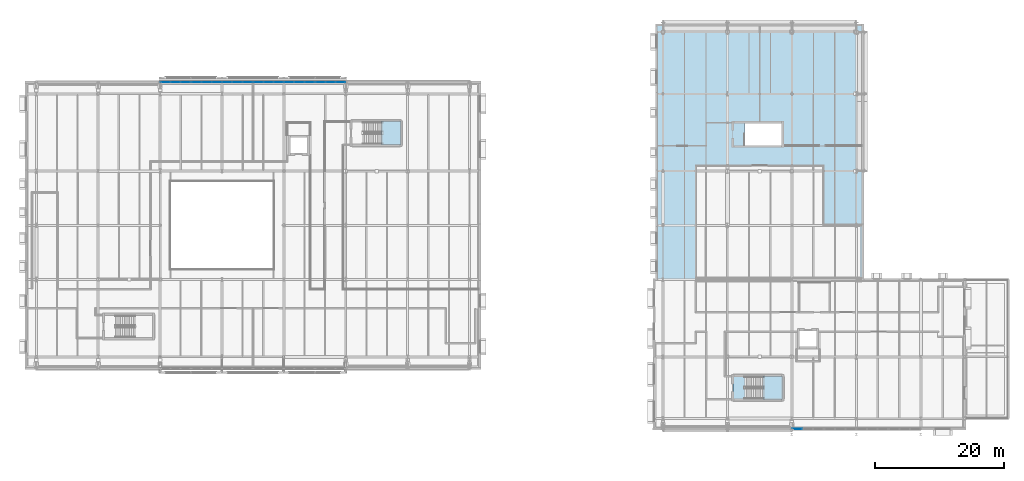
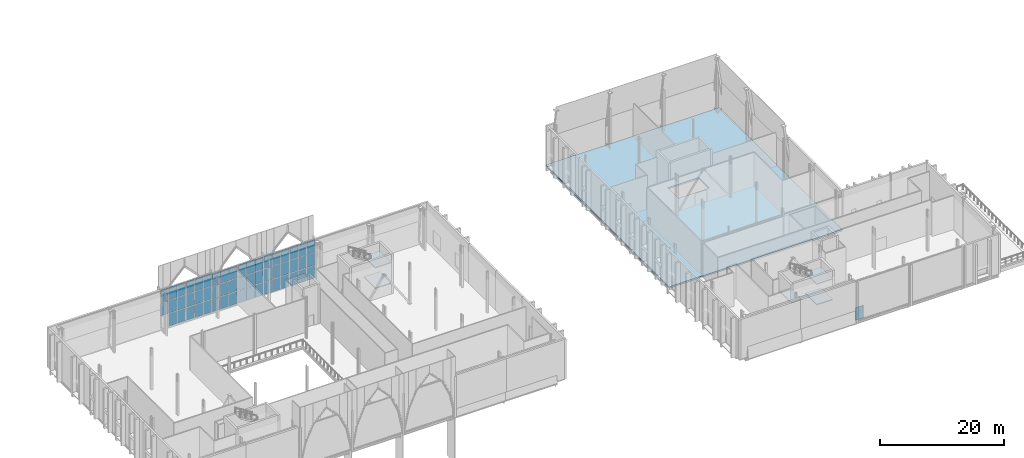
# One storey, part 40 of 79: 54 plates, 6 slabs, 9 elements without a shape of their own.
"""IFC4 building model written with IfcOpenShell, lengths in metres."""

from ifc_helpers import new_model, si_unit, direction, frame, origin, origin_2d, place, context, subcontext, project, spatial, polyline, rectangle, outline, extrude, material, layer, layer_set, type_object, element, aggregate, save


model = new_model("IFC4")

# Units and contexts
model_context = context("Model", 3, precision=1e-05, world=origin(), true_north=direction((0.0, 1.0)))
body_context = subcontext(model_context, "Body", "Model", "MODEL_VIEW")
ifc_project = project(units=[si_unit("LENGTHUNIT", "METRE"), si_unit("AREAUNIT", "SQUARE_METRE"), si_unit("VOLUMEUNIT", "CUBIC_METRE"), si_unit("PLANEANGLEUNIT", "RADIAN"), si_unit("MASSUNIT", "GRAM", prefix="KILO")], contexts=[model_context])

# Site, building, storey
site_placement = place(None, origin())
site = spatial("IfcSite", under=ifc_project, at=site_placement, CompositionType="ELEMENT")
building_placement = place(site_placement, origin())
building = spatial("IfcBuilding", under=site, at=building_placement, Name="Zereglee Splitstone Museum", CompositionType="ELEMENT")
storey_placement = place(building_placement, frame((0.0, 0.0, 9.0)))
storey = spatial("IfcBuildingStorey", under=building, at=storey_placement, Name="L02", CompositionType="ELEMENT", Elevation=9.0)

# Curtain wall, plate
ifc_material_1 = material(Name="Triple-glazed low-E argon glass and bronze-anodised aluminium", Category="aluminium")
ifc_layer_1 = layer(ifc_material_1, 0.219970703125)
ifc_layer_set_1 = layer_set([ifc_layer_1], Name="Triple-glazed low-E argon glass and bronze-anodised aluminium")
curtain_wall_type_1 = type_object("IfcCurtainWallType", Name="CW-0496-780", PredefinedType="USERDEFINED", material=ifc_layer_set_1)
curtain_wall_1_placement = place(storey_placement, origin())
curtain_wall_1 = element("IfcCurtainWall", 1, at=curtain_wall_1_placement, inside=storey, type_object=curtain_wall_type_1, Name="Glazed Curtain Wall CW-0496-780 (L02)", ObjectType="GLAZED CURTAIN WALL", PredefinedType="USERDEFINED")
ifc_material_2 = material(Name="Triple low-e argon insulated safety glass", Category="glass")
ifc_layer_2 = layer(ifc_material_2, 0.035888671875)
ifc_layer_set_2 = layer_set([ifc_layer_2], Name="Triple low-e argon insulated safety glass")
plate_type = type_object("IfcPlateType", Name="CWP-01", PredefinedType="CURTAIN_PANEL", material=ifc_layer_set_2)
plate_1_placement = place(storey_placement, frame((196.04541015625, -1.60009765625, 0.0751953125), z_axis=(0.0, 0.0, 1.0), x_axis=(1.0, 0.0, 0.0)))
plate_1 = element("IfcPlate", 2, at=plate_1_placement, type_object=plate_type, Name="CW-0496-780 panel 1.1", PredefinedType="CURTAIN_PANEL", context=body_context, shape_type="SweptSolid", body=[
    extrude(rectangle(XDim=1.540771484375, YDim=0.035888671875, at=origin_2d()), origin(), (0.0, 0.0, 1.0), 2.487548828125),
])
aggregate(curtain_wall_1, [plate_1])

# Curtain wall, plates
ifc_layer_3 = layer(ifc_material_1, 0.219970703125)
ifc_layer_set_3 = layer_set([ifc_layer_3], Name="Triple-glazed low-E argon glass and bronze-anodised aluminium")
curtain_wall_type_2 = type_object("IfcCurtainWallType", Name="CW-0476-774", PredefinedType="USERDEFINED", material=ifc_layer_set_3)
curtain_wall_2_placement = place(storey_placement, origin())
curtain_wall_2 = element("IfcCurtainWall", 3, at=curtain_wall_2_placement, inside=storey, type_object=curtain_wall_type_2, Name="Glazed Curtain Wall CW-0476-774 (L02)", ObjectType="GLAZED CURTAIN WALL", PredefinedType="USERDEFINED")
plate_2_placement = place(storey_placement, frame((125.18798828125, 52.199951171875, 0.0751953125), z_axis=(0.0, 0.0, 1.0), x_axis=(-1.0, 0.0, 0.0)))
plate_2 = element("IfcPlate", 4, at=plate_2_placement, type_object=plate_type, Name="CW-0476-774 panel 1.1", PredefinedType="CURTAIN_PANEL", context=body_context, shape_type="SweptSolid", body=[
    extrude(rectangle(XDim=1.47412109375, YDim=0.035888671875, at=origin_2d()), origin(), (0.0, 0.0, 1.0), 2.467529296875),
])
plate_3_placement = place(storey_placement, frame((125.18798828125, 52.199951171875, 2.61767578125), z_axis=(0.0, 0.0, 1.0), x_axis=(-1.0, 0.0, 0.0)))
plate_3 = element("IfcPlate", 5, at=plate_3_placement, type_object=plate_type, Name="CW-0476-774 panel 1.2", PredefinedType="CURTAIN_PANEL", context=body_context, shape_type="SweptSolid", body=[
    extrude(rectangle(XDim=1.47412109375, YDim=0.035888671875, at=origin_2d()), origin(), (0.0, 0.0, 1.0), 2.5048828125),
])
plate_4_placement = place(storey_placement, frame((125.18798828125, 52.199951171875, 5.197265625), z_axis=(0.0, 0.0, 1.0), x_axis=(-1.0, 0.0, 0.0)))
plate_4 = element("IfcPlate", 6, at=plate_4_placement, type_object=plate_type, Name="CW-0476-774 panel 1.3", PredefinedType="CURTAIN_PANEL", context=body_context, shape_type="SweptSolid", body=[
    extrude(rectangle(XDim=1.47412109375, YDim=0.035888671875, at=origin_2d()), origin(), (0.0, 0.0, 1.0), 2.467529296875),
])
plate_5_placement = place(storey_placement, frame((123.6201171875, 52.199951171875, 0.0751953125), z_axis=(0.0, 0.0, 1.0), x_axis=(-1.0, 0.0, 0.0)))
plate_5 = element("IfcPlate", 7, at=plate_5_placement, type_object=plate_type, Name="CW-0476-774 panel 2.1", PredefinedType="CURTAIN_PANEL", context=body_context, shape_type="SweptSolid", body=[
    extrude(rectangle(XDim=1.51171875, YDim=0.035888671875, at=origin_2d()), origin(), (0.0, 0.0, 1.0), 2.467529296875),
])
plate_6_placement = place(storey_placement, frame((123.6201171875, 52.199951171875, 2.61767578125), z_axis=(0.0, 0.0, 1.0), x_axis=(-1.0, 0.0, 0.0)))
plate_6 = element("IfcPlate", 8, at=plate_6_placement, type_object=plate_type, Name="CW-0476-774 panel 2.2", PredefinedType="CURTAIN_PANEL", context=body_context, shape_type="SweptSolid", body=[
    extrude(rectangle(XDim=1.51171875, YDim=0.035888671875, at=origin_2d()), origin(), (0.0, 0.0, 1.0), 2.5048828125),
])
plate_7_placement = place(storey_placement, frame((123.6201171875, 52.199951171875, 5.197265625), z_axis=(0.0, 0.0, 1.0), x_axis=(-1.0, 0.0, 0.0)))
plate_7 = element("IfcPlate", 9, at=plate_7_placement, type_object=plate_type, Name="CW-0476-774 panel 2.3", PredefinedType="CURTAIN_PANEL", context=body_context, shape_type="SweptSolid", body=[
    extrude(rectangle(XDim=1.51171875, YDim=0.035888671875, at=origin_2d()), origin(), (0.0, 0.0, 1.0), 2.467529296875),
])
plate_8_placement = place(storey_placement, frame((122.052001953125, 52.199951171875, 0.0751953125), z_axis=(0.0, 0.0, 1.0), x_axis=(-1.0, 0.0, 0.0)))
plate_8 = element("IfcPlate", 10, at=plate_8_placement, type_object=plate_type, Name="CW-0476-774 panel 3.1", PredefinedType="CURTAIN_PANEL", context=body_context, shape_type="SweptSolid", body=[
    extrude(rectangle(XDim=1.47412109375, YDim=0.035888671875, at=origin_2d()), origin(), (0.0, 0.0, 1.0), 2.467529296875),
])
plate_9_placement = place(storey_placement, frame((122.052001953125, 52.199951171875, 2.61767578125), z_axis=(0.0, 0.0, 1.0), x_axis=(-1.0, 0.0, 0.0)))
plate_9 = element("IfcPlate", 11, at=plate_9_placement, type_object=plate_type, Name="CW-0476-774 panel 3.2", PredefinedType="CURTAIN_PANEL", context=body_context, shape_type="SweptSolid", body=[
    extrude(rectangle(XDim=1.47412109375, YDim=0.035888671875, at=origin_2d()), origin(), (0.0, 0.0, 1.0), 2.5048828125),
])
plate_10_placement = place(storey_placement, frame((122.052001953125, 52.199951171875, 5.197265625), z_axis=(0.0, 0.0, 1.0), x_axis=(-1.0, 0.0, 0.0)))
plate_10 = element("IfcPlate", 12, at=plate_10_placement, type_object=plate_type, Name="CW-0476-774 panel 3.3", PredefinedType="CURTAIN_PANEL", context=body_context, shape_type="SweptSolid", body=[
    extrude(rectangle(XDim=1.47412109375, YDim=0.035888671875, at=origin_2d()), origin(), (0.0, 0.0, 1.0), 2.467529296875),
])
aggregate(curtain_wall_2, [plate_2, plate_3, plate_4, plate_5, plate_6, plate_7, plate_8, plate_9, plate_10])

ifc_layer_4 = layer(ifc_material_1, 0.219970703125)
ifc_layer_set_4 = layer_set([ifc_layer_4], Name="Triple-glazed low-E argon glass and bronze-anodised aluminium")
curtain_wall_type_3 = type_object("IfcCurtainWallType", Name="CW-0476-772", PredefinedType="USERDEFINED", material=ifc_layer_set_4)
curtain_wall_3_placement = place(storey_placement, origin())
curtain_wall_3 = element("IfcCurtainWall", 13, at=curtain_wall_3_placement, inside=storey, type_object=curtain_wall_type_3, Name="Glazed Curtain Wall CW-0476-772 (L02)", ObjectType="GLAZED CURTAIN WALL", PredefinedType="USERDEFINED")
plate_11_placement = place(storey_placement, frame((120.347900390625, 52.199951171875, 0.0751953125), z_axis=(0.0, 0.0, 1.0), x_axis=(-1.0, 0.0, 0.0)))
plate_11 = element("IfcPlate", 14, at=plate_11_placement, type_object=plate_type, Name="CW-0476-772 panel 1.1", PredefinedType="CURTAIN_PANEL", context=body_context, shape_type="SweptSolid", body=[
    extrude(rectangle(XDim=1.47412109375, YDim=0.035888671875, at=origin_2d()), origin(), (0.0, 0.0, 1.0), 2.460693359375),
])
plate_12_placement = place(storey_placement, frame((120.347900390625, 52.199951171875, 2.61083984375), z_axis=(0.0, 0.0, 1.0), x_axis=(-1.0, 0.0, 0.0)))
plate_12 = element("IfcPlate", 15, at=plate_12_placement, type_object=plate_type, Name="CW-0476-772 panel 1.2", PredefinedType="CURTAIN_PANEL", context=body_context, shape_type="SweptSolid", body=[
    extrude(rectangle(XDim=1.47412109375, YDim=0.035888671875, at=origin_2d()), origin(), (0.0, 0.0, 1.0), 2.498291015625),
])
plate_13_placement = place(storey_placement, frame((120.347900390625, 52.199951171875, 5.18408203125), z_axis=(0.0, 0.0, 1.0), x_axis=(-1.0, 0.0, 0.0)))
plate_13 = element("IfcPlate", 16, at=plate_13_placement, type_object=plate_type, Name="CW-0476-772 panel 1.3", PredefinedType="CURTAIN_PANEL", context=body_context, shape_type="SweptSolid", body=[
    extrude(rectangle(XDim=1.47412109375, YDim=0.035888671875, at=origin_2d()), origin(), (0.0, 0.0, 1.0), 2.460693359375),
])
plate_14_placement = place(storey_placement, frame((118.780029296875, 52.199951171875, 0.0751953125), z_axis=(0.0, 0.0, 1.0), x_axis=(-1.0, 0.0, 0.0)))
plate_14 = element("IfcPlate", 17, at=plate_14_placement, type_object=plate_type, Name="CW-0476-772 panel 2.1", PredefinedType="CURTAIN_PANEL", context=body_context, shape_type="SweptSolid", body=[
    extrude(rectangle(XDim=1.51171875, YDim=0.035888671875, at=origin_2d()), origin(), (0.0, 0.0, 1.0), 2.460693359375),
])
plate_15_placement = place(storey_placement, frame((118.780029296875, 52.199951171875, 2.61083984375), z_axis=(0.0, 0.0, 1.0), x_axis=(-1.0, 0.0, 0.0)))
plate_15 = element("IfcPlate", 18, at=plate_15_placement, type_object=plate_type, Name="CW-0476-772 panel 2.2", PredefinedType="CURTAIN_PANEL", context=body_context, shape_type="SweptSolid", body=[
    extrude(rectangle(XDim=1.51171875, YDim=0.035888671875, at=origin_2d()), origin(), (0.0, 0.0, 1.0), 2.498291015625),
])
plate_16_placement = place(storey_placement, frame((118.780029296875, 52.199951171875, 5.18408203125), z_axis=(0.0, 0.0, 1.0), x_axis=(-1.0, 0.0, 0.0)))
plate_16 = element("IfcPlate", 19, at=plate_16_placement, type_object=plate_type, Name="CW-0476-772 panel 2.3", PredefinedType="CURTAIN_PANEL", context=body_context, shape_type="SweptSolid", body=[
    extrude(rectangle(XDim=1.51171875, YDim=0.035888671875, at=origin_2d()), origin(), (0.0, 0.0, 1.0), 2.460693359375),
])
plate_17_placement = place(storey_placement, frame((117.212158203125, 52.199951171875, 0.0751953125), z_axis=(0.0, 0.0, 1.0), x_axis=(-1.0, 0.0, 0.0)))
plate_17 = element("IfcPlate", 20, at=plate_17_placement, type_object=plate_type, Name="CW-0476-772 panel 3.1", PredefinedType="CURTAIN_PANEL", context=body_context, shape_type="SweptSolid", body=[
    extrude(rectangle(XDim=1.47412109375, YDim=0.035888671875, at=origin_2d()), origin(), (0.0, 0.0, 1.0), 2.460693359375),
])
plate_18_placement = place(storey_placement, frame((117.212158203125, 52.199951171875, 2.61083984375), z_axis=(0.0, 0.0, 1.0), x_axis=(-1.0, 0.0, 0.0)))
plate_18 = element("IfcPlate", 21, at=plate_18_placement, type_object=plate_type, Name="CW-0476-772 panel 3.2", PredefinedType="CURTAIN_PANEL", context=body_context, shape_type="SweptSolid", body=[
    extrude(rectangle(XDim=1.47412109375, YDim=0.035888671875, at=origin_2d()), origin(), (0.0, 0.0, 1.0), 2.498291015625),
])
plate_19_placement = place(storey_placement, frame((117.212158203125, 52.199951171875, 5.18408203125), z_axis=(0.0, 0.0, 1.0), x_axis=(-1.0, 0.0, 0.0)))
plate_19 = element("IfcPlate", 22, at=plate_19_placement, type_object=plate_type, Name="CW-0476-772 panel 3.3", PredefinedType="CURTAIN_PANEL", context=body_context, shape_type="SweptSolid", body=[
    extrude(rectangle(XDim=1.47412109375, YDim=0.035888671875, at=origin_2d()), origin(), (0.0, 0.0, 1.0), 2.460693359375),
])
aggregate(curtain_wall_3, [plate_11, plate_12, plate_13, plate_14, plate_15, plate_16, plate_17, plate_18, plate_19])

ifc_layer_5 = layer(ifc_material_1, 0.219970703125)
ifc_layer_set_5 = layer_set([ifc_layer_5], Name="Triple-glazed low-E argon glass and bronze-anodised aluminium")
curtain_wall_type_4 = type_object("IfcCurtainWallType", Name="CW-0476-768", PredefinedType="USERDEFINED", material=ifc_layer_set_5)
curtain_wall_4_placement = place(storey_placement, origin())
curtain_wall_4 = element("IfcCurtainWall", 23, at=curtain_wall_4_placement, inside=storey, type_object=curtain_wall_type_4, Name="Glazed Curtain Wall CW-0476-768 (L02)", ObjectType="GLAZED CURTAIN WALL", PredefinedType="USERDEFINED")
plate_20_placement = place(storey_placement, frame((115.587890625, 52.199951171875, 0.0751953125), z_axis=(0.0, 0.0, 1.0), x_axis=(-1.0, 0.0, 0.0)))
plate_20 = element("IfcPlate", 24, at=plate_20_placement, type_object=plate_type, Name="CW-0476-768 panel 1.1", PredefinedType="CURTAIN_PANEL", context=body_context, shape_type="SweptSolid", body=[
    extrude(rectangle(XDim=1.47412109375, YDim=0.035888671875, at=origin_2d()), origin(), (0.0, 0.0, 1.0), 2.447509765625),
])
plate_21_placement = place(storey_placement, frame((115.587890625, 52.199951171875, 2.59765625), z_axis=(0.0, 0.0, 1.0), x_axis=(-1.0, 0.0, 0.0)))
plate_21 = element("IfcPlate", 25, at=plate_21_placement, type_object=plate_type, Name="CW-0476-768 panel 1.2", PredefinedType="CURTAIN_PANEL", context=body_context, shape_type="SweptSolid", body=[
    extrude(rectangle(XDim=1.47412109375, YDim=0.035888671875, at=origin_2d()), origin(), (0.0, 0.0, 1.0), 2.485107421875),
])
plate_22_placement = place(storey_placement, frame((115.587890625, 52.199951171875, 5.15771484375), z_axis=(0.0, 0.0, 1.0), x_axis=(-1.0, 0.0, 0.0)))
plate_22 = element("IfcPlate", 26, at=plate_22_placement, type_object=plate_type, Name="CW-0476-768 panel 1.3", PredefinedType="CURTAIN_PANEL", context=body_context, shape_type="SweptSolid", body=[
    extrude(rectangle(XDim=1.47412109375, YDim=0.035888671875, at=origin_2d()), origin(), (0.0, 0.0, 1.0), 2.447509765625),
])
plate_23_placement = place(storey_placement, frame((114.02001953125, 52.199951171875, 0.0751953125), z_axis=(0.0, 0.0, 1.0), x_axis=(-1.0, 0.0, 0.0)))
plate_23 = element("IfcPlate", 27, at=plate_23_placement, type_object=plate_type, Name="CW-0476-768 panel 2.1", PredefinedType="CURTAIN_PANEL", context=body_context, shape_type="SweptSolid", body=[
    extrude(rectangle(XDim=1.51171875, YDim=0.035888671875, at=origin_2d()), origin(), (0.0, 0.0, 1.0), 2.447509765625),
])
plate_24_placement = place(storey_placement, frame((114.02001953125, 52.199951171875, 2.59765625), z_axis=(0.0, 0.0, 1.0), x_axis=(-1.0, 0.0, 0.0)))
plate_24 = element("IfcPlate", 28, at=plate_24_placement, type_object=plate_type, Name="CW-0476-768 panel 2.2", PredefinedType="CURTAIN_PANEL", context=body_context, shape_type="SweptSolid", body=[
    extrude(rectangle(XDim=1.51171875, YDim=0.035888671875, at=origin_2d()), origin(), (0.0, 0.0, 1.0), 2.485107421875),
])
plate_25_placement = place(storey_placement, frame((114.02001953125, 52.199951171875, 5.15771484375), z_axis=(0.0, 0.0, 1.0), x_axis=(-1.0, 0.0, 0.0)))
plate_25 = element("IfcPlate", 29, at=plate_25_placement, type_object=plate_type, Name="CW-0476-768 panel 2.3", PredefinedType="CURTAIN_PANEL", context=body_context, shape_type="SweptSolid", body=[
    extrude(rectangle(XDim=1.51171875, YDim=0.035888671875, at=origin_2d()), origin(), (0.0, 0.0, 1.0), 2.447509765625),
])
plate_26_placement = place(storey_placement, frame((112.4521484375, 52.199951171875, 0.0751953125), z_axis=(0.0, 0.0, 1.0), x_axis=(-1.0, 0.0, 0.0)))
plate_26 = element("IfcPlate", 30, at=plate_26_placement, type_object=plate_type, Name="CW-0476-768 panel 3.1", PredefinedType="CURTAIN_PANEL", context=body_context, shape_type="SweptSolid", body=[
    extrude(rectangle(XDim=1.47412109375, YDim=0.035888671875, at=origin_2d()), origin(), (0.0, 0.0, 1.0), 2.447509765625),
])
plate_27_placement = place(storey_placement, frame((112.4521484375, 52.199951171875, 2.59765625), z_axis=(0.0, 0.0, 1.0), x_axis=(-1.0, 0.0, 0.0)))
plate_27 = element("IfcPlate", 31, at=plate_27_placement, type_object=plate_type, Name="CW-0476-768 panel 3.2", PredefinedType="CURTAIN_PANEL", context=body_context, shape_type="SweptSolid", body=[
    extrude(rectangle(XDim=1.47412109375, YDim=0.035888671875, at=origin_2d()), origin(), (0.0, 0.0, 1.0), 2.485107421875),
])
plate_28_placement = place(storey_placement, frame((112.4521484375, 52.199951171875, 5.15771484375), z_axis=(0.0, 0.0, 1.0), x_axis=(-1.0, 0.0, 0.0)))
plate_28 = element("IfcPlate", 32, at=plate_28_placement, type_object=plate_type, Name="CW-0476-768 panel 3.3", PredefinedType="CURTAIN_PANEL", context=body_context, shape_type="SweptSolid", body=[
    extrude(rectangle(XDim=1.47412109375, YDim=0.035888671875, at=origin_2d()), origin(), (0.0, 0.0, 1.0), 2.447509765625),
])
aggregate(curtain_wall_4, [plate_20, plate_21, plate_22, plate_23, plate_24, plate_25, plate_26, plate_27, plate_28])

ifc_layer_6 = layer(ifc_material_1, 0.219970703125)
ifc_layer_set_6 = layer_set([ifc_layer_6], Name="Triple-glazed low-E argon glass and bronze-anodised aluminium")
curtain_wall_type_5 = type_object("IfcCurtainWallType", Name="CW-0476-766", PredefinedType="USERDEFINED", material=ifc_layer_set_6)
curtain_wall_5_placement = place(storey_placement, origin())
curtain_wall_5 = element("IfcCurtainWall", 33, at=curtain_wall_5_placement, inside=storey, type_object=curtain_wall_type_5, Name="Glazed Curtain Wall CW-0476-766 (L02)", ObjectType="GLAZED CURTAIN WALL", PredefinedType="USERDEFINED")
plate_29_placement = place(storey_placement, frame((110.747802734375, 52.199951171875, 0.074951171875), z_axis=(0.0, 0.0, 1.0), x_axis=(-1.0, 0.0, 0.0)))
plate_29 = element("IfcPlate", 34, at=plate_29_placement, type_object=plate_type, Name="CW-0476-766 panel 1.1", PredefinedType="CURTAIN_PANEL", context=body_context, shape_type="SweptSolid", body=[
    extrude(rectangle(XDim=1.47412109375, YDim=0.035888671875, at=origin_2d()), origin(), (0.0, 0.0, 1.0), 2.44091796875),
])
plate_30_placement = place(storey_placement, frame((110.747802734375, 52.199951171875, 2.5908203125), z_axis=(0.0, 0.0, 1.0), x_axis=(-1.0, 0.0, 0.0)))
plate_30 = element("IfcPlate", 35, at=plate_30_placement, type_object=plate_type, Name="CW-0476-766 panel 1.2", PredefinedType="CURTAIN_PANEL", context=body_context, shape_type="SweptSolid", body=[
    extrude(rectangle(XDim=1.47412109375, YDim=0.035888671875, at=origin_2d()), origin(), (0.0, 0.0, 1.0), 2.478515625),
])
plate_31_placement = place(storey_placement, frame((110.747802734375, 52.199951171875, 5.14404296875), z_axis=(0.0, 0.0, 1.0), x_axis=(-1.0, 0.0, 0.0)))
plate_31 = element("IfcPlate", 36, at=plate_31_placement, type_object=plate_type, Name="CW-0476-766 panel 1.3", PredefinedType="CURTAIN_PANEL", context=body_context, shape_type="SweptSolid", body=[
    extrude(rectangle(XDim=1.47412109375, YDim=0.035888671875, at=origin_2d()), origin(), (0.0, 0.0, 1.0), 2.44091796875),
])
plate_32_placement = place(storey_placement, frame((109.179931640625, 52.199951171875, 0.074951171875), z_axis=(0.0, 0.0, 1.0), x_axis=(-1.0, 0.0, 0.0)))
plate_32 = element("IfcPlate", 37, at=plate_32_placement, type_object=plate_type, Name="CW-0476-766 panel 2.1", PredefinedType="CURTAIN_PANEL", context=body_context, shape_type="SweptSolid", body=[
    extrude(rectangle(XDim=1.51171875, YDim=0.035888671875, at=origin_2d()), origin(), (0.0, 0.0, 1.0), 2.44091796875),
])
plate_33_placement = place(storey_placement, frame((109.179931640625, 52.199951171875, 2.5908203125), z_axis=(0.0, 0.0, 1.0), x_axis=(-1.0, 0.0, 0.0)))
plate_33 = element("IfcPlate", 38, at=plate_33_placement, type_object=plate_type, Name="CW-0476-766 panel 2.2", PredefinedType="CURTAIN_PANEL", context=body_context, shape_type="SweptSolid", body=[
    extrude(rectangle(XDim=1.51171875, YDim=0.035888671875, at=origin_2d()), origin(), (0.0, 0.0, 1.0), 2.478515625),
])
plate_34_placement = place(storey_placement, frame((109.179931640625, 52.199951171875, 5.14404296875), z_axis=(0.0, 0.0, 1.0), x_axis=(-1.0, 0.0, 0.0)))
plate_34 = element("IfcPlate", 39, at=plate_34_placement, type_object=plate_type, Name="CW-0476-766 panel 2.3", PredefinedType="CURTAIN_PANEL", context=body_context, shape_type="SweptSolid", body=[
    extrude(rectangle(XDim=1.51171875, YDim=0.035888671875, at=origin_2d()), origin(), (0.0, 0.0, 1.0), 2.44091796875),
])
plate_35_placement = place(storey_placement, frame((107.612060546875, 52.199951171875, 0.074951171875), z_axis=(0.0, 0.0, 1.0), x_axis=(-1.0, 0.0, 0.0)))
plate_35 = element("IfcPlate", 40, at=plate_35_placement, type_object=plate_type, Name="CW-0476-766 panel 3.1", PredefinedType="CURTAIN_PANEL", context=body_context, shape_type="SweptSolid", body=[
    extrude(rectangle(XDim=1.47412109375, YDim=0.035888671875, at=origin_2d()), origin(), (0.0, 0.0, 1.0), 2.44091796875),
])
plate_36_placement = place(storey_placement, frame((107.612060546875, 52.199951171875, 2.5908203125), z_axis=(0.0, 0.0, 1.0), x_axis=(-1.0, 0.0, 0.0)))
plate_36 = element("IfcPlate", 41, at=plate_36_placement, type_object=plate_type, Name="CW-0476-766 panel 3.2", PredefinedType="CURTAIN_PANEL", context=body_context, shape_type="SweptSolid", body=[
    extrude(rectangle(XDim=1.47412109375, YDim=0.035888671875, at=origin_2d()), origin(), (0.0, 0.0, 1.0), 2.478515625),
])
plate_37_placement = place(storey_placement, frame((107.612060546875, 52.199951171875, 5.14404296875), z_axis=(0.0, 0.0, 1.0), x_axis=(-1.0, 0.0, 0.0)))
plate_37 = element("IfcPlate", 42, at=plate_37_placement, type_object=plate_type, Name="CW-0476-766 panel 3.3", PredefinedType="CURTAIN_PANEL", context=body_context, shape_type="SweptSolid", body=[
    extrude(rectangle(XDim=1.47412109375, YDim=0.035888671875, at=origin_2d()), origin(), (0.0, 0.0, 1.0), 2.44091796875),
])
aggregate(curtain_wall_5, [plate_29, plate_30, plate_31, plate_32, plate_33, plate_34, plate_35, plate_36, plate_37])

ifc_layer_7 = layer(ifc_material_1, 0.219970703125)
ifc_layer_set_7 = layer_set([ifc_layer_7], Name="Triple-glazed low-E argon glass and bronze-anodised aluminium")
curtain_wall_type_6 = type_object("IfcCurtainWallType", Name="CW-0476-780", PredefinedType="USERDEFINED", material=ifc_layer_set_7)
curtain_wall_6_placement = place(storey_placement, origin())
curtain_wall_6 = element("IfcCurtainWall", 43, at=curtain_wall_6_placement, inside=storey, type_object=curtain_wall_type_6, Name="Glazed Curtain Wall CW-0476-780 (L02)", ObjectType="GLAZED CURTAIN WALL", PredefinedType="USERDEFINED")
plate_38_placement = place(storey_placement, frame((105.988037109375, 52.199951171875, 0.0751953125), z_axis=(0.0, 0.0, 1.0), x_axis=(-1.0, 0.0, 0.0)))
plate_38 = element("IfcPlate", 44, at=plate_38_placement, type_object=plate_type, Name="CW-0476-780 panel 1.1", PredefinedType="CURTAIN_PANEL", context=body_context, shape_type="SweptSolid", body=[
    extrude(rectangle(XDim=1.47412109375, YDim=0.035888671875, at=origin_2d()), origin(), (0.0, 0.0, 1.0), 2.487548828125),
])
plate_39_placement = place(storey_placement, frame((105.988037109375, 52.199951171875, 2.637451171875), z_axis=(0.0, 0.0, 1.0), x_axis=(-1.0, 0.0, 0.0)))
plate_39 = element("IfcPlate", 45, at=plate_39_placement, type_object=plate_type, Name="CW-0476-780 panel 1.2", PredefinedType="CURTAIN_PANEL", context=body_context, shape_type="SweptSolid", body=[
    extrude(rectangle(XDim=1.47412109375, YDim=0.035888671875, at=origin_2d()), origin(), (0.0, 0.0, 1.0), 2.52490234375),
])
plate_40_placement = place(storey_placement, frame((105.988037109375, 52.199951171875, 5.2373046875), z_axis=(0.0, 0.0, 1.0), x_axis=(-1.0, 0.0, 0.0)))
plate_40 = element("IfcPlate", 46, at=plate_40_placement, type_object=plate_type, Name="CW-0476-780 panel 1.3", PredefinedType="CURTAIN_PANEL", context=body_context, shape_type="SweptSolid", body=[
    extrude(rectangle(XDim=1.47412109375, YDim=0.035888671875, at=origin_2d()), origin(), (0.0, 0.0, 1.0), 2.487548828125),
])
plate_41_placement = place(storey_placement, frame((104.419921875, 52.199951171875, 0.0751953125), z_axis=(0.0, 0.0, 1.0), x_axis=(-1.0, 0.0, 0.0)))
plate_41 = element("IfcPlate", 47, at=plate_41_placement, type_object=plate_type, Name="CW-0476-780 panel 2.1", PredefinedType="CURTAIN_PANEL", context=body_context, shape_type="SweptSolid", body=[
    extrude(rectangle(XDim=1.51171875, YDim=0.035888671875, at=origin_2d()), origin(), (0.0, 0.0, 1.0), 2.487548828125),
])
plate_42_placement = place(storey_placement, frame((104.419921875, 52.199951171875, 2.637451171875), z_axis=(0.0, 0.0, 1.0), x_axis=(-1.0, 0.0, 0.0)))
plate_42 = element("IfcPlate", 48, at=plate_42_placement, type_object=plate_type, Name="CW-0476-780 panel 2.2", PredefinedType="CURTAIN_PANEL", context=body_context, shape_type="SweptSolid", body=[
    extrude(rectangle(XDim=1.51171875, YDim=0.035888671875, at=origin_2d()), origin(), (0.0, 0.0, 1.0), 2.52490234375),
])
plate_43_placement = place(storey_placement, frame((104.419921875, 52.199951171875, 5.2373046875), z_axis=(0.0, 0.0, 1.0), x_axis=(-1.0, 0.0, 0.0)))
plate_43 = element("IfcPlate", 49, at=plate_43_placement, type_object=plate_type, Name="CW-0476-780 panel 2.3", PredefinedType="CURTAIN_PANEL", context=body_context, shape_type="SweptSolid", body=[
    extrude(rectangle(XDim=1.51171875, YDim=0.035888671875, at=origin_2d()), origin(), (0.0, 0.0, 1.0), 2.487548828125),
])
plate_44_placement = place(storey_placement, frame((102.85205078125, 52.199951171875, 0.0751953125), z_axis=(0.0, 0.0, 1.0), x_axis=(-1.0, 0.0, 0.0)))
plate_44 = element("IfcPlate", 50, at=plate_44_placement, type_object=plate_type, Name="CW-0476-780 panel 3.1", PredefinedType="CURTAIN_PANEL", context=body_context, shape_type="SweptSolid", body=[
    extrude(rectangle(XDim=1.47412109375, YDim=0.035888671875, at=origin_2d()), origin(), (0.0, 0.0, 1.0), 2.487548828125),
])
plate_45_placement = place(storey_placement, frame((102.85205078125, 52.199951171875, 2.637451171875), z_axis=(0.0, 0.0, 1.0), x_axis=(-1.0, 0.0, 0.0)))
plate_45 = element("IfcPlate", 51, at=plate_45_placement, type_object=plate_type, Name="CW-0476-780 panel 3.2", PredefinedType="CURTAIN_PANEL", context=body_context, shape_type="SweptSolid", body=[
    extrude(rectangle(XDim=1.47412109375, YDim=0.035888671875, at=origin_2d()), origin(), (0.0, 0.0, 1.0), 2.52490234375),
])
plate_46_placement = place(storey_placement, frame((102.85205078125, 52.199951171875, 5.2373046875), z_axis=(0.0, 0.0, 1.0), x_axis=(-1.0, 0.0, 0.0)))
plate_46 = element("IfcPlate", 52, at=plate_46_placement, type_object=plate_type, Name="CW-0476-780 panel 3.3", PredefinedType="CURTAIN_PANEL", context=body_context, shape_type="SweptSolid", body=[
    extrude(rectangle(XDim=1.47412109375, YDim=0.035888671875, at=origin_2d()), origin(), (0.0, 0.0, 1.0), 2.487548828125),
])
aggregate(curtain_wall_6, [plate_38, plate_39, plate_40, plate_41, plate_42, plate_43, plate_44, plate_45, plate_46])

ifc_layer_8 = layer(ifc_material_1, 0.219970703125)
ifc_layer_set_8 = layer_set([ifc_layer_8], Name="Triple-glazed low-E argon glass and bronze-anodised aluminium")
curtain_wall_type_7 = type_object("IfcCurtainWallType", Name="CW-0476-778", PredefinedType="USERDEFINED", material=ifc_layer_set_8)
curtain_wall_7_placement = place(storey_placement, origin())
curtain_wall_7 = element("IfcCurtainWall", 53, at=curtain_wall_7_placement, inside=storey, type_object=curtain_wall_type_7, Name="Glazed Curtain Wall CW-0476-778 (L02)", ObjectType="GLAZED CURTAIN WALL", PredefinedType="USERDEFINED")
plate_47_placement = place(storey_placement, frame((101.14794921875, 52.199951171875, 0.0751953125), z_axis=(0.0, 0.0, 1.0), x_axis=(-1.0, 0.0, 0.0)))
plate_47 = element("IfcPlate", 54, at=plate_47_placement, type_object=plate_type, Name="CW-0476-778 panel 1.1", PredefinedType="CURTAIN_PANEL", context=body_context, shape_type="SweptSolid", body=[
    extrude(rectangle(XDim=1.47412109375, YDim=0.035888671875, at=origin_2d()), origin(), (0.0, 0.0, 1.0), 2.480712890625),
])
plate_48_placement = place(storey_placement, frame((101.14794921875, 52.199951171875, 2.630859375), z_axis=(0.0, 0.0, 1.0), x_axis=(-1.0, 0.0, 0.0)))
plate_48 = element("IfcPlate", 55, at=plate_48_placement, type_object=plate_type, Name="CW-0476-778 panel 1.2", PredefinedType="CURTAIN_PANEL", context=body_context, shape_type="SweptSolid", body=[
    extrude(rectangle(XDim=1.47412109375, YDim=0.035888671875, at=origin_2d()), origin(), (0.0, 0.0, 1.0), 2.518310546875),
])
plate_49_placement = place(storey_placement, frame((101.14794921875, 52.199951171875, 5.22412109375), z_axis=(0.0, 0.0, 1.0), x_axis=(-1.0, 0.0, 0.0)))
plate_49 = element("IfcPlate", 56, at=plate_49_placement, type_object=plate_type, Name="CW-0476-778 panel 1.3", PredefinedType="CURTAIN_PANEL", context=body_context, shape_type="SweptSolid", body=[
    extrude(rectangle(XDim=1.47412109375, YDim=0.035888671875, at=origin_2d()), origin(), (0.0, 0.0, 1.0), 2.480712890625),
])
plate_50_placement = place(storey_placement, frame((99.580078125, 52.199951171875, 0.0751953125), z_axis=(0.0, 0.0, 1.0), x_axis=(-1.0, 0.0, 0.0)))
plate_50 = element("IfcPlate", 57, at=plate_50_placement, type_object=plate_type, Name="CW-0476-778 panel 2.1", PredefinedType="CURTAIN_PANEL", context=body_context, shape_type="SweptSolid", body=[
    extrude(rectangle(XDim=1.51171875, YDim=0.035888671875, at=origin_2d()), origin(), (0.0, 0.0, 1.0), 2.480712890625),
])
plate_51_placement = place(storey_placement, frame((99.580078125, 52.199951171875, 2.630859375), z_axis=(0.0, 0.0, 1.0), x_axis=(-1.0, 0.0, 0.0)))
plate_51 = element("IfcPlate", 58, at=plate_51_placement, type_object=plate_type, Name="CW-0476-778 panel 2.2", PredefinedType="CURTAIN_PANEL", context=body_context, shape_type="SweptSolid", body=[
    extrude(rectangle(XDim=1.51171875, YDim=0.035888671875, at=origin_2d()), origin(), (0.0, 0.0, 1.0), 2.518310546875),
])
plate_52_placement = place(storey_placement, frame((99.580078125, 52.199951171875, 5.22412109375), z_axis=(0.0, 0.0, 1.0), x_axis=(-1.0, 0.0, 0.0)))
plate_52 = element("IfcPlate", 59, at=plate_52_placement, type_object=plate_type, Name="CW-0476-778 panel 2.3", PredefinedType="CURTAIN_PANEL", context=body_context, shape_type="SweptSolid", body=[
    extrude(rectangle(XDim=1.51171875, YDim=0.035888671875, at=origin_2d()), origin(), (0.0, 0.0, 1.0), 2.480712890625),
])
plate_53_placement = place(storey_placement, frame((98.011962890625, 52.199951171875, 2.630859375), z_axis=(0.0, 0.0, 1.0), x_axis=(-1.0, 0.0, 0.0)))
plate_53 = element("IfcPlate", 60, at=plate_53_placement, type_object=plate_type, Name="CW-0476-778 panel 3.2", PredefinedType="CURTAIN_PANEL", context=body_context, shape_type="SweptSolid", body=[
    extrude(rectangle(XDim=1.47412109375, YDim=0.035888671875, at=origin_2d()), origin(), (0.0, 0.0, 1.0), 2.518310546875),
])
plate_54_placement = place(storey_placement, frame((98.011962890625, 52.199951171875, 5.22412109375), z_axis=(0.0, 0.0, 1.0), x_axis=(-1.0, 0.0, 0.0)))
plate_54 = element("IfcPlate", 61, at=plate_54_placement, type_object=plate_type, Name="CW-0476-778 panel 3.3", PredefinedType="CURTAIN_PANEL", context=body_context, shape_type="SweptSolid", body=[
    extrude(rectangle(XDim=1.47412109375, YDim=0.035888671875, at=origin_2d()), origin(), (0.0, 0.0, 1.0), 2.480712890625),
])
aggregate(curtain_wall_7, [plate_47, plate_48, plate_49, plate_50, plate_51, plate_52, plate_53, plate_54])

# Slab
ifc_material_3 = material(Name="Concrete C35/45", Category="concrete")
ifc_layer_9 = layer(ifc_material_3, 0.320068359375)
ifc_layer_set_9 = layer_set([ifc_layer_9], Name="Concrete C35/45")
slab_type_1 = type_object("IfcSlabType", Name="FS-03", PredefinedType="FLOOR", material=ifc_layer_set_9)
slab_1_placement = place(storey_placement, frame((0.0, 0.0, -0.320068359375)))
element("IfcSlab", 62, at=slab_1_placement, inside=storey, type_object=slab_type_1, Name="Gallery Floor Slab L02-V4", PredefinedType="FLOOR", context=body_context, shape_type="SweptSolid", body=[
    extrude(outline(polyline([(174.10009765625, 21.60009765625), (206.300048828125, 21.60009765625), (206.300048828125, 61.199951171875), (174.10009765625, 61.199951171875), (174.10009765625, 21.60009765625)]), holes=[polyline([(187.85400390625, 42.39990234375), (193.60009765625, 42.39990234375), (193.60009765625, 45.800048828125), (187.85400390625, 45.800048828125), (187.85400390625, 42.39990234375)])]), origin(), (0.0, 0.0, 1.0), 0.320068359375),
])

# Stair, slabs
stair_type_1 = type_object("IfcStairType", Name="ST-03C", PredefinedType="HALF_TURN_STAIR", material=ifc_material_3)
stair_1_placement = place(storey_placement, origin())
stair_1 = element("IfcStair", 63, at=stair_1_placement, inside=storey, type_object=stair_type_1, Name="L02 Protected Exit Stair ST-03 C", PredefinedType="HALF_TURN_STAIR")
ifc_layer_10 = layer(ifc_material_3, 0.199951171875)
ifc_layer_set_10 = layer_set([ifc_layer_10], Name="Concrete C35/45")
slab_type_2 = type_object("IfcSlabType", Name="ST-03C", PredefinedType="LANDING", material=ifc_layer_set_10)
slab_2_placement = place(storey_placement, frame((0.0, 0.0, 1.824951171875)))
slab_2 = element("IfcSlab", 64, at=slab_2_placement, type_object=slab_type_2, Name="ST-03C landing 1", PredefinedType="LANDING", context=body_context, shape_type="SweptSolid", body=[
    extrude(outline(polyline([(131.550048828125, 42.4599609375), (134.5400390625, 42.4599609375), (134.5400390625, 46.139892578125), (131.550048828125, 46.139892578125), (131.550048828125, 42.4599609375)])), origin(), (0.0, 0.0, 1.0), 0.199951171875),
])
slab_3_placement = place(storey_placement, frame((0.0, 0.0, 5.875)))
slab_3 = element("IfcSlab", 65, at=slab_3_placement, type_object=slab_type_2, Name="ST-03C landing 3", PredefinedType="LANDING", context=body_context, shape_type="SweptSolid", body=[
    extrude(outline(polyline([(131.550048828125, 42.4599609375), (134.5400390625, 42.4599609375), (134.5400390625, 46.139892578125), (131.550048828125, 46.139892578125), (131.550048828125, 42.4599609375)])), origin(), (0.0, 0.0, 1.0), 0.199951171875),
])
aggregate(stair_1, [slab_2, slab_3])

stair_type_2 = type_object("IfcStairType", Name="ST-04C", PredefinedType="HALF_TURN_STAIR", material=ifc_material_3)
stair_2_placement = place(storey_placement, origin())
stair_2 = element("IfcStair", 66, at=stair_2_placement, inside=storey, type_object=stair_type_2, Name="L02 Protected Exit Stair ST-04 C", PredefinedType="HALF_TURN_STAIR")
ifc_layer_11 = layer(ifc_material_3, 0.199951171875)
ifc_layer_set_11 = layer_set([ifc_layer_11], Name="Concrete C35/45")
slab_type_3 = type_object("IfcSlabType", Name="ST-04C", PredefinedType="LANDING", material=ifc_layer_set_11)
slab_4_placement = place(storey_placement, frame((0.0, 0.0, 1.824951171875)))
slab_4 = element("IfcSlab", 67, at=slab_4_placement, type_object=slab_type_3, Name="ST-04C landing 1", PredefinedType="LANDING", context=body_context, shape_type="SweptSolid", body=[
    extrude(outline(polyline([(190.75, 2.9599609375), (193.739990234375, 2.9599609375), (193.739990234375, 6.639892578125), (190.75, 6.639892578125), (190.75, 2.9599609375)])), origin(), (0.0, 0.0, 1.0), 0.199951171875),
])
slab_5_placement = place(storey_placement, frame((0.0, 0.0, 3.85009765625)))
slab_5 = element("IfcSlab", 68, at=slab_5_placement, type_object=slab_type_3, Name="ST-04C landing 2", PredefinedType="LANDING", context=body_context, shape_type="SweptSolid", body=[
    extrude(outline(polyline([(186.06005859375, 2.9599609375), (188.030029296875, 2.9599609375), (188.030029296875, 6.639892578125), (186.06005859375, 6.639892578125), (186.06005859375, 2.9599609375)])), origin(), (0.0, 0.0, 1.0), 0.199951171875),
])
slab_6_placement = place(storey_placement, frame((0.0, 0.0, 5.875)))
slab_6 = element("IfcSlab", 69, at=slab_6_placement, type_object=slab_type_3, Name="ST-04C landing 3", PredefinedType="LANDING", context=body_context, shape_type="SweptSolid", body=[
    extrude(outline(polyline([(190.75, 2.9599609375), (193.739990234375, 2.9599609375), (193.739990234375, 6.639892578125), (190.75, 6.639892578125), (190.75, 2.9599609375)])), origin(), (0.0, 0.0, 1.0), 0.199951171875),
])
aggregate(stair_2, [slab_4, slab_5, slab_6])

save(model, "model.ifc")
